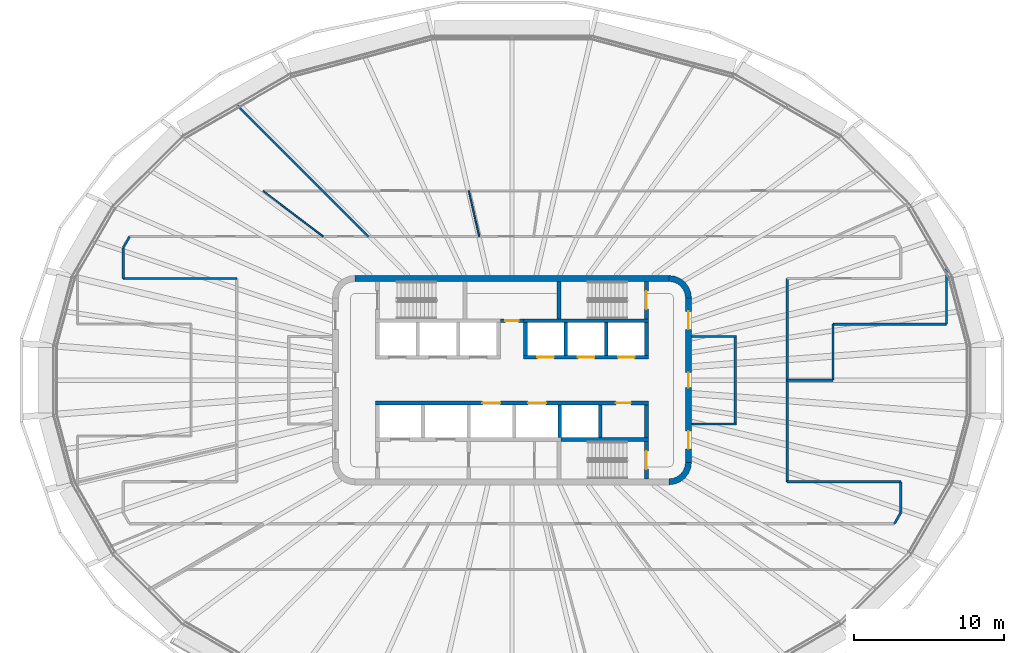
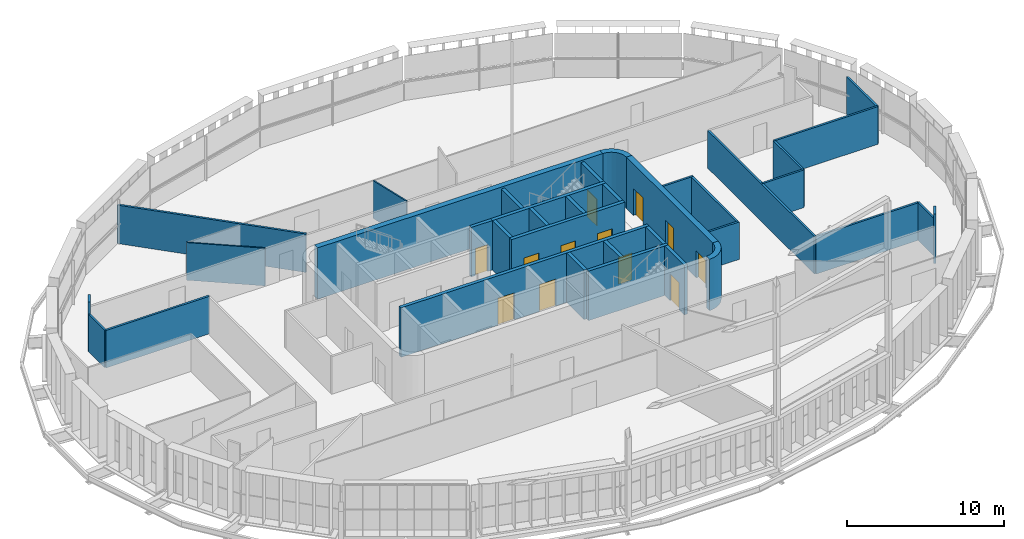
# One storey, part 12 of 20: 36 walls, 12 doors, 12 openings.
"""IFC4 building model written with IfcOpenShell, lengths in metres."""

from ifc_helpers import new_model, si_unit, direction, frame, frame_2d, origin, place, context, subcontext, project, spatial, polyline, rectangle, outline, extrude, material, layer, layer_set, type_object, element, fill, save


model = new_model("IFC4")

# Units and contexts
model_context = context("Model", 3, precision=1e-05, world=origin(), true_north=direction((0.0, 1.0)))
body_context = subcontext(model_context, "Body", "Model", "MODEL_VIEW")
ifc_project = project(units=[si_unit("LENGTHUNIT", "METRE"), si_unit("AREAUNIT", "SQUARE_METRE"), si_unit("VOLUMEUNIT", "CUBIC_METRE"), si_unit("PLANEANGLEUNIT", "RADIAN"), si_unit("MASSUNIT", "GRAM", prefix="KILO")], contexts=[model_context])

# Site, building, storey
site_placement = place(None, origin())
site = spatial("IfcSite", under=ifc_project, at=site_placement, CompositionType="ELEMENT")
building_placement = place(site_placement, origin())
building = spatial("IfcBuilding", under=site, at=building_placement, Name="Sahrelin Media Tower", CompositionType="ELEMENT")
storey_placement = place(building_placement, frame((0.0, 0.0, 209.60009765625)))
storey = spatial("IfcBuildingStorey", under=building, at=storey_placement, Name="L44", CompositionType="ELEMENT", Elevation=209.60009765625)

# Wall
ifc_material_1 = material(Name="Concrete C60/75", Category="concrete")
ifc_layer_1 = layer(ifc_material_1, 0.39990234375)
ifc_layer_set_1 = layer_set([ifc_layer_1], Name="Core wall 400")
wall_type_1 = type_object("IfcWallType", Name="Core wall 400", PredefinedType="SHEAR", material=ifc_layer_set_1)
wall_1_placement = place(storey_placement, frame((-10.5, 6.800048828125, 0.0), z_axis=(0.0, 0.0, 1.0), x_axis=(1.0, 0.0, 0.0)))
element("IfcWall", 1, at=wall_1_placement, inside=storey, type_object=wall_type_1, Name="Core wall N L44", PredefinedType="SHEAR", context=body_context, shape_type="SweptSolid", body=[
    extrude(rectangle(XDim=21.0, YDim=0.39990234375, at=frame_2d((10.5, 0.0))), origin(), (0.0, 0.0, 1.0), 4.0),
])

# Wall, openings, doors
wall_2_placement = place(storey_placement, frame((11.800048828125, -5.5, 0.0), z_axis=(0.0, 0.0, 1.0), x_axis=(0.0, 1.0, 0.0)))
wall_2 = element("IfcWall", 2, at=wall_2_placement, inside=storey, type_object=wall_type_1, Name="Core wall E L44", PredefinedType="SHEAR", context=body_context, shape_type="SweptSolid", body=[
    extrude(rectangle(XDim=11.0, YDim=0.39990234375, at=frame_2d((5.5, 0.0))), origin(), (0.0, 0.0, 1.0), 4.0),
])
opening_1_placement = place(wall_2_placement, frame((5.0, 0.0, 0.0)))
opening_1 = element("IfcOpeningElement", 3, at=opening_1_placement, cuts=wall_2, Name="Opening L44-D10", PredefinedType="OPENING", context=body_context, shape_type="SweptSolid", body=[
    extrude(rectangle(XDim=1.0, YDim=2.10009765625, at=frame_2d((0.5, 1.050048828125))), frame((0.0, 0.199951171875, 0.0), z_axis=(0.0, -1.0, 0.0), x_axis=(1.0, 0.0, 0.0)), (0.0, 0.0, 1.0), 0.39990234375),
])
opening_2_placement = place(wall_2_placement, frame((0.89990234375, 0.0, 0.0)))
opening_2 = element("IfcOpeningElement", 4, at=opening_2_placement, cuts=wall_2, Name="Opening L44-D13", PredefinedType="OPENING", context=body_context, shape_type="SweptSolid", body=[
    extrude(rectangle(XDim=1.199951171875, YDim=2.10009765625, at=frame_2d((0.60009765625, 1.050048828125))), frame((0.0, 0.199951171875, 0.0), z_axis=(0.0, -1.0, 0.0), x_axis=(1.0, 0.0, 0.0)), (0.0, 0.0, 1.0), 0.39990234375),
])
opening_3_placement = place(wall_2_placement, frame((8.89990234375, 0.0, 0.0)))
opening_3 = element("IfcOpeningElement", 5, at=opening_3_placement, cuts=wall_2, Name="Opening L44-D14", PredefinedType="OPENING", context=body_context, shape_type="SweptSolid", body=[
    extrude(rectangle(XDim=1.199951171875, YDim=2.10009765625, at=frame_2d((0.60009765625, 1.050048828125))), frame((0.0, 0.199951171875, 0.0), z_axis=(0.0, -1.0, 0.0), x_axis=(1.0, 0.0, 0.0)), (0.0, 0.0, 1.0), 0.39990234375),
])
ifc_material_2 = material(Name="Steel fire door leaf", Category="steel")
door_type_1 = type_object("IfcDoorType", Name="Fire door 1000 x 2100 EI 60", OperationType="NOTDEFINED", PredefinedType="DOOR", material=ifc_material_2)
door_1_placement = place(opening_1_placement, origin())
door_1 = element("IfcDoor", 6, at=door_1_placement, inside=storey, type_object=door_type_1, Name="Core room door", OperationType="SINGLE_SWING_RIGHT", OverallHeight=2.10009765625, OverallWidth=1.0, PredefinedType="DOOR", context=body_context, shape_type="SweptSolid", body=[
    extrude(rectangle(XDim=1.0, YDim=2.10009765625, at=frame_2d((0.5, 1.050048828125))), frame((0.0, 0.02490234375, 0.0), z_axis=(0.0, -1.0, 0.0), x_axis=(1.0, 0.0, 0.0)), (0.0, 0.0, 1.0), 0.050048828125),
])
fill(opening_1, door_1)
door_type_2 = type_object("IfcDoorType", Name="Lobby door 1200 x 2100 EI 60", OperationType="NOTDEFINED", PredefinedType="DOOR", material=ifc_material_2)
door_2_placement = place(opening_2_placement, origin())
door_2 = element("IfcDoor", 7, at=door_2_placement, inside=storey, type_object=door_type_2, Name="Lobby door", OperationType="SINGLE_SWING_LEFT", OverallHeight=2.10009765625, OverallWidth=1.199951171875, PredefinedType="DOOR", context=body_context, shape_type="SweptSolid", body=[
    extrude(rectangle(XDim=1.199951171875, YDim=2.10009765625, at=frame_2d((0.60009765625, 1.050048828125))), frame((0.0, 0.02490234375, 0.0), z_axis=(0.0, -1.0, 0.0), x_axis=(1.0, 0.0, 0.0)), (0.0, 0.0, 1.0), 0.050048828125),
])
fill(opening_2, door_2)
door_3_placement = place(opening_3_placement, origin())
door_3 = element("IfcDoor", 8, at=door_3_placement, inside=storey, type_object=door_type_2, Name="Lobby door", OperationType="SINGLE_SWING_LEFT", OverallHeight=2.10009765625, OverallWidth=1.199951171875, PredefinedType="DOOR", context=body_context, shape_type="SweptSolid", body=[
    extrude(rectangle(XDim=1.199951171875, YDim=2.10009765625, at=frame_2d((0.60009765625, 1.050048828125))), frame((0.0, 0.02490234375, 0.0), z_axis=(0.0, -1.0, 0.0), x_axis=(1.0, 0.0, 0.0)), (0.0, 0.0, 1.0), 0.050048828125),
])
fill(opening_3, door_3)

# Walls
placement = place(storey_placement, origin())
element("IfcWall", 9, at=placement, inside=storey, type_object=wall_type_1, Name="Core wall corner NE L44", PredefinedType="SHEAR", context=body_context, shape_type="SweptSolid", body=[
    extrude(outline(polyline([(10.5, 7.0), (10.5, 6.596435546875), (10.78369140625, 6.55908203125), (11.04833984375, 6.44970703125), (11.275390625, 6.275390625), (11.44970703125, 6.04833984375), (11.55908203125, 5.78369140625), (11.596435546875, 5.5), (12.0, 5.5), (11.948974609375, 5.88818359375), (11.799072265625, 6.25), (11.560791015625, 6.560791015625), (11.25, 6.799072265625), (10.88818359375, 6.948974609375), (10.5, 7.0)])), origin(), (0.0, 0.0, 1.0), 4.0),
])
element("IfcWall", 10, at=placement, inside=storey, type_object=wall_type_1, Name="Core wall corner SE L44", PredefinedType="SHEAR", context=body_context, shape_type="SweptSolid", body=[
    extrude(outline(polyline([(12.0, -5.5), (11.596435546875, -5.5), (11.55908203125, -5.78369140625), (11.44970703125, -6.04833984375), (11.275390625, -6.275390625), (11.04833984375, -6.44970703125), (10.78369140625, -6.55908203125), (10.5, -6.596435546875), (10.5, -7.0), (10.88818359375, -6.948974609375), (11.25, -6.799072265625), (11.560791015625, -6.560791015625), (11.799072265625, -6.25), (11.948974609375, -5.88818359375), (12.0, -5.5)])), origin(), (0.0, 0.0, 1.0), 4.0),
])

# Wall, opening, door
ifc_material_3 = material(Name="Fire-rated gypsum board partition")
ifc_layer_2 = layer(ifc_material_3, 0.25)
ifc_layer_set_2 = layer_set([ifc_layer_2], Name="Fire-rated lobby wall 250")
wall_type_2 = type_object("IfcWallType", Name="Fire-rated lobby wall 250", PredefinedType="PARTITIONING", material=ifc_layer_set_2)
wall_5_placement = place(storey_placement, frame((-0.77490234375, 3.97509765625, 0.0), z_axis=(0.0, 0.0, 1.0), x_axis=(1.0, 0.0, 0.0)))
wall_5 = element("IfcWall", 11, at=wall_5_placement, inside=storey, type_object=wall_type_2, Name="Core lobby wall", PredefinedType="PARTITIONING", context=body_context, shape_type="SweptSolid", body=[
    extrude(rectangle(XDim=1.5498046875, YDim=0.25, at=frame_2d((0.77490234375, 0.0))), origin(), (0.0, 0.0, 1.0), 3.849853515625),
])
opening_4_placement = place(wall_5_placement, frame((0.324951171875, 0.0, 0.0)))
opening_4 = element("IfcOpeningElement", 12, at=opening_4_placement, cuts=wall_5, Name="Opening L44-D06", PredefinedType="OPENING", context=body_context, shape_type="SweptSolid", body=[
    extrude(rectangle(XDim=0.89990234375, YDim=2.10009765625, at=frame_2d((0.449951171875, 1.050048828125))), frame((0.0, 0.125, 0.0), z_axis=(0.0, -1.0, 0.0), x_axis=(1.0, 0.0, 0.0)), (0.0, 0.0, 1.0), 0.25),
])
door_type_3 = type_object("IfcDoorType", Name="Riser door 900 x 2100 EI 120", OperationType="NOTDEFINED", PredefinedType="DOOR", material=ifc_material_2)
door_4_placement = place(opening_4_placement, origin())
door_4 = element("IfcDoor", 13, at=door_4_placement, inside=storey, type_object=door_type_3, Name="Core room door", OperationType="SINGLE_SWING_LEFT", OverallHeight=2.10009765625, OverallWidth=0.89990234375, PredefinedType="DOOR", context=body_context, shape_type="SweptSolid", body=[
    extrude(rectangle(XDim=0.89990234375, YDim=2.10009765625, at=frame_2d((0.449951171875, 1.050048828125))), frame((0.0, 0.02490234375, 0.0), z_axis=(0.0, -1.0, 0.0), x_axis=(1.0, 0.0, 0.0)), (0.0, 0.0, 1.0), 0.050048828125),
])
fill(opening_4, door_4)

# Walls
ifc_layer_3 = layer(ifc_material_3, 0.14990234375)
ifc_layer_set_3 = layer_set([ifc_layer_3], Name="Fire-rated partition 150")
wall_type_3 = type_object("IfcWallType", Name="Fire-rated partition 150", PredefinedType="PARTITIONING", material=ifc_layer_set_3)
wall_6_placement = place(storey_placement, frame((14.925048828125, -2.85009765625, 0.0), z_axis=(0.0, 0.0, 1.0), x_axis=(0.0, 1.0, 0.0)))
element("IfcWall", 14, at=wall_6_placement, inside=storey, type_object=wall_type_3, Name="Core room fire partition", PredefinedType="PARTITIONING", context=body_context, shape_type="SweptSolid", body=[
    extrude(rectangle(XDim=5.7001953125, YDim=0.14990234375, at=frame_2d((2.85009765625, 0.0))), origin(), (0.0, 0.0, 1.0), 2.918212890625),
])
for number, where, z_axis, x_axis, name in (
    (15, (12.0, 2.925048828125, 0.0), (0.0, 0.0, 1.0), (1.0, 0.0, 0.0), "Core room fire partition"),
    (16, (12.0, -2.925048828125, 0.0), (0.0, 0.0, 1.0), (1.0, 0.0, 0.0), "Core room fire partition"),
):
    element("IfcWall", number, at=place(storey_placement, frame(where, z_axis=z_axis, x_axis=x_axis)), inside=storey, type_object=wall_type_3, Name=name, PredefinedType="PARTITIONING", context=body_context, shape_type="SweptSolid", body=[
        extrude(rectangle(XDim=3.0, YDim=0.14990234375, at=frame_2d((1.5, 0.0))), origin(), (0.0, 0.0, 1.0), 2.918212890625),
    ])
wall_7_placement = place(storey_placement, frame((-18.408935546875, 18.408935546875, 0.0), z_axis=(0.0, 0.0, 1.0), x_axis=(0.707106781187, -0.707106781187, 0.0)))
element("IfcWall", 17, at=wall_7_placement, inside=storey, type_object=wall_type_3, Name="Wall", PredefinedType="PARTITIONING", context=body_context, shape_type="SweptSolid", body=[
    extrude(rectangle(XDim=12.45751953125, YDim=0.14990234375, at=frame_2d((6.228759765625, 0.0))), origin(), (0.0, 0.0, 1.0), 2.994873046875),
])
wall_8_placement = place(storey_placement, frame((18.39990234375, -6.800048828125, 0.0), z_axis=(0.0, 0.0, 1.0), x_axis=(1.0, 0.0, 0.0)))
element("IfcWall", 18, at=wall_8_placement, inside=storey, type_object=wall_type_3, Name="Wall", PredefinedType="PARTITIONING", context=body_context, shape_type="SweptSolid", body=[
    extrude(rectangle(XDim=7.60009765625, YDim=0.14990234375, at=frame_2d((3.800048828125, 0.0))), origin(), (0.0, 0.0, 1.0), 2.927001953125),
])
wall_9_placement = place(storey_placement, frame((18.39990234375, 0.0, 0.0), z_axis=(0.0, 0.0, 1.0), x_axis=(1.0, 0.0, 0.0)))
element("IfcWall", 19, at=wall_9_placement, inside=storey, type_object=wall_type_3, Name="Wall", PredefinedType="PARTITIONING", context=body_context, shape_type="SweptSolid", body=[
    extrude(rectangle(XDim=3.06005859375, YDim=0.14990234375, at=frame_2d((1.530029296875, 0.0))), origin(), (0.0, 0.0, 1.0), 2.927001953125),
])
for number, where, z_axis, x_axis, name in (
    (20, (21.4599609375, 3.739990234375, 0.0), (0.0, 0.0, 1.0), (1.0, 0.0, 0.0), "Wall"),
    (21, (-26.0, 6.800048828125, 0.0), (0.0, 0.0, 1.0), (1.0, 0.0, 0.0), "Wall"),
):
    element("IfcWall", number, at=place(storey_placement, frame(where, z_axis=z_axis, x_axis=x_axis)), inside=storey, type_object=wall_type_3, Name=name, PredefinedType="PARTITIONING", context=body_context, shape_type="SweptSolid", body=[
        extrude(rectangle(XDim=7.60009765625, YDim=0.14990234375, at=frame_2d((3.800048828125, 0.0))), origin(), (0.0, 0.0, 1.0), 2.927001953125),
    ])
wall_10_placement = place(storey_placement, frame((25.569091796875, -9.60009765625, 0.0), z_axis=(0.0, 0.0, 1.0), x_axis=(0.499640762619, 0.866232710263, 0.0)))
element("IfcWall", 22, at=wall_10_placement, inside=storey, type_object=wall_type_3, Name="Wall", PredefinedType="PARTITIONING", context=body_context, shape_type="SweptSolid", body=[
    extrude(rectangle(XDim=0.862548828125, YDim=0.14990234375, at=frame_2d((0.43115234375, 0.0))), origin(), (0.0, 0.0, 1.0), 3.849853515625),
])
wall_11_placement = place(storey_placement, frame((-26.0, 8.85302734375, 0.0), z_axis=(0.0, 0.0, 1.0), x_axis=(0.499975693202, 0.866039436866, 0.0)))
element("IfcWall", 23, at=wall_11_placement, inside=storey, type_object=wall_type_3, Name="Wall", PredefinedType="PARTITIONING", context=body_context, shape_type="SweptSolid", body=[
    extrude(rectangle(XDim=0.8623046875, YDim=0.14990234375, at=frame_2d((0.43115234375, 0.0))), origin(), (0.0, 0.0, 1.0), 3.849853515625),
])
wall_12_placement = place(storey_placement, frame((29.06005859375, 3.739990234375, 0.0), z_axis=(0.0, 0.0, 1.0), x_axis=(0.0, 1.0, 0.0)))
element("IfcWall", 24, at=wall_12_placement, inside=storey, type_object=wall_type_3, Name="Wall", PredefinedType="PARTITIONING", context=body_context, shape_type="SweptSolid", body=[
    extrude(rectangle(XDim=3.81298828125, YDim=0.14990234375, at=frame_2d((1.906494140625, 0.0))), origin(), (0.0, 0.0, 1.0), 2.918212890625),
])
wall_13_placement = place(storey_placement, frame((26.0, -8.85302734375, 0.0), z_axis=(0.0, 0.0, 1.0), x_axis=(0.0, 1.0, 0.0)))
element("IfcWall", 25, at=wall_13_placement, inside=storey, type_object=wall_type_3, Name="Wall", PredefinedType="PARTITIONING", context=body_context, shape_type="SweptSolid", body=[
    extrude(rectangle(XDim=2.052978515625, YDim=0.14990234375, at=frame_2d((1.0263671875, 0.0))), origin(), (0.0, 0.0, 1.0), 2.927001953125),
])
wall_14_placement = place(storey_placement, frame((21.4599609375, 0.0, 0.0), z_axis=(0.0, 0.0, 1.0), x_axis=(0.0, 1.0, 0.0)))
element("IfcWall", 26, at=wall_14_placement, inside=storey, type_object=wall_type_3, Name="Wall", PredefinedType="PARTITIONING", context=body_context, shape_type="SweptSolid", body=[
    extrude(rectangle(XDim=3.739990234375, YDim=0.14990234375, at=frame_2d((1.8701171875, 0.0))), origin(), (0.0, 0.0, 1.0), 2.918212890625),
])
wall_15_placement = place(storey_placement, frame((18.39990234375, -6.800048828125, 0.0), z_axis=(0.0, 0.0, 1.0), x_axis=(0.0, 1.0, 0.0)))
element("IfcWall", 27, at=wall_15_placement, inside=storey, type_object=wall_type_3, Name="Wall", PredefinedType="PARTITIONING", context=body_context, shape_type="SweptSolid", body=[
    extrude(rectangle(XDim=13.60009765625, YDim=0.14990234375, at=frame_2d((6.800048828125, 0.0))), origin(), (0.0, 0.0, 1.0), 2.918212890625),
])
wall_16_placement = place(storey_placement, frame((-26.0, 6.800048828125, 0.0), z_axis=(0.0, 0.0, 1.0), x_axis=(0.0, 1.0, 0.0)))
element("IfcWall", 28, at=wall_16_placement, inside=storey, type_object=wall_type_3, Name="Wall", PredefinedType="PARTITIONING", context=body_context, shape_type="SweptSolid", body=[
    extrude(rectangle(XDim=2.052978515625, YDim=0.14990234375, at=frame_2d((1.0263671875, 0.0))), origin(), (0.0, 0.0, 1.0), 2.927001953125),
])

# Wall, openings, doors
ifc_layer_4 = layer(ifc_material_1, 0.25)
ifc_layer_set_4 = layer_set([ifc_layer_4], Name="Lift shaft wall 250")
wall_type_4 = type_object("IfcWallType", Name="Lift shaft wall 250", PredefinedType="SOLIDWALL", material=ifc_layer_set_4)
wall_17_placement = place(storey_placement, frame((0.77490234375, 1.52490234375, 0.0), z_axis=(0.0, 0.0, 1.0), x_axis=(1.0, 0.0, 0.0)))
wall_17 = element("IfcWall", 29, at=wall_17_placement, inside=storey, type_object=wall_type_4, Name="Lift shaft wall", PredefinedType="SOLIDWALL", context=body_context, shape_type="SweptSolid", body=[
    extrude(rectangle(XDim=8.35009765625, YDim=0.25, at=frame_2d((4.175048828125, 0.0))), origin(), (0.0, 0.0, 1.0), 3.849853515625),
])
opening_5_placement = place(wall_17_placement, frame((0.925048828125, 0.0, 0.0)))
opening_5 = element("IfcOpeningElement", 30, at=opening_5_placement, cuts=wall_17, Name="Opening L44-LD-HR4", PredefinedType="OPENING", context=body_context, shape_type="SweptSolid", body=[
    extrude(rectangle(XDim=1.10009765625, YDim=2.10009765625, at=frame_2d((0.550048828125, 1.050048828125))), frame((0.0, 0.125, 0.0), z_axis=(0.0, -1.0, 0.0), x_axis=(1.0, 0.0, 0.0)), (0.0, 0.0, 1.0), 0.25),
])
opening_6_placement = place(wall_17_placement, frame((3.625, 0.0, 0.0)))
opening_6 = element("IfcOpeningElement", 31, at=opening_6_placement, cuts=wall_17, Name="Opening L44-LD-HR5", PredefinedType="OPENING", context=body_context, shape_type="SweptSolid", body=[
    extrude(rectangle(XDim=1.10009765625, YDim=2.10009765625, at=frame_2d((0.550048828125, 1.050048828125))), frame((0.0, 0.125, 0.0), z_axis=(0.0, -1.0, 0.0), x_axis=(1.0, 0.0, 0.0)), (0.0, 0.0, 1.0), 0.25),
])
opening_7_placement = place(wall_17_placement, frame((6.324951171875, 0.0, 0.0)))
opening_7 = element("IfcOpeningElement", 32, at=opening_7_placement, cuts=wall_17, Name="Opening L44-LD-HR6", PredefinedType="OPENING", context=body_context, shape_type="SweptSolid", body=[
    extrude(rectangle(XDim=1.10009765625, YDim=2.10009765625, at=frame_2d((0.550048828125, 1.050048828125))), frame((0.0, 0.125, 0.0), z_axis=(0.0, -1.0, 0.0), x_axis=(1.0, 0.0, 0.0)), (0.0, 0.0, 1.0), 0.25),
])
ifc_material_4 = material(Name="Stainless steel", Category="steel")
door_type_4 = type_object("IfcDoorType", Name="Lift landing door 1100 x 2100 EI 120", OperationType="DOUBLE_DOOR_SLIDING", PredefinedType="DOOR", material=ifc_material_4)
door_5_placement = place(opening_5_placement, origin())
door_5 = element("IfcDoor", 33, at=door_5_placement, inside=storey, type_object=door_type_4, Name="Lift landing door HR4", OperationType="DOUBLE_DOOR_SLIDING", OverallHeight=2.10009765625, OverallWidth=1.10009765625, PredefinedType="DOOR", context=body_context, shape_type="SweptSolid", body=[
    extrude(rectangle(XDim=1.10009765625, YDim=2.10009765625, at=frame_2d((0.550048828125, 1.050048828125))), frame((0.0, 0.02490234375, 0.0), z_axis=(0.0, -1.0, 0.0), x_axis=(1.0, 0.0, 0.0)), (0.0, 0.0, 1.0), 0.050048828125),
])
fill(opening_5, door_5)
door_6_placement = place(opening_6_placement, origin())
door_6 = element("IfcDoor", 34, at=door_6_placement, inside=storey, type_object=door_type_4, Name="Lift landing door HR5", OperationType="DOUBLE_DOOR_SLIDING", OverallHeight=2.10009765625, OverallWidth=1.10009765625, PredefinedType="DOOR", context=body_context, shape_type="SweptSolid", body=[
    extrude(rectangle(XDim=1.10009765625, YDim=2.10009765625, at=frame_2d((0.550048828125, 1.050048828125))), frame((0.0, 0.02490234375, 0.0), z_axis=(0.0, -1.0, 0.0), x_axis=(1.0, 0.0, 0.0)), (0.0, 0.0, 1.0), 0.050048828125),
])
fill(opening_6, door_6)
door_7_placement = place(opening_7_placement, origin())
door_7 = element("IfcDoor", 35, at=door_7_placement, inside=storey, type_object=door_type_4, Name="Lift landing door HR6", OperationType="DOUBLE_DOOR_SLIDING", OverallHeight=2.10009765625, OverallWidth=1.10009765625, PredefinedType="DOOR", context=body_context, shape_type="SweptSolid", body=[
    extrude(rectangle(XDim=1.10009765625, YDim=2.10009765625, at=frame_2d((0.550048828125, 1.050048828125))), frame((0.0, 0.02490234375, 0.0), z_axis=(0.0, -1.0, 0.0), x_axis=(1.0, 0.0, 0.0)), (0.0, 0.0, 1.0), 0.050048828125),
])
fill(opening_7, door_7)

# Walls
wall_18_placement = place(storey_placement, frame((0.77490234375, 3.97509765625, 0.0), z_axis=(0.0, 0.0, 1.0), x_axis=(1.0, 0.0, 0.0)))
element("IfcWall", 36, at=wall_18_placement, inside=storey, type_object=wall_type_4, Name="Lift shaft wall", PredefinedType="SOLIDWALL", context=body_context, shape_type="SweptSolid", body=[
    extrude(rectangle(XDim=8.35009765625, YDim=0.25, at=frame_2d((4.175048828125, 0.0))), origin(), (0.0, 0.0, 1.0), 3.849853515625),
])
for number, where, z_axis, x_axis, name in (
    (37, (9.0, 1.64990234375, 0.0), (0.0, 0.0, 1.0), (0.0, 1.0, 0.0), "Lift shaft wall"),
    (38, (6.300048828125, 1.64990234375, 0.0), (0.0, 0.0, 1.0), (0.0, 1.0, 0.0), "Lift shaft wall"),
    (39, (3.60009765625, 1.64990234375, 0.0), (0.0, 0.0, 1.0), (0.0, 1.0, 0.0), "Lift shaft wall"),
    (40, (0.89990234375, 1.64990234375, 0.0), (0.0, 0.0, 1.0), (0.0, 1.0, 0.0), "Lift shaft wall"),
):
    element("IfcWall", number, at=place(storey_placement, frame(where, z_axis=z_axis, x_axis=x_axis)), inside=storey, type_object=wall_type_4, Name=name, PredefinedType="SOLIDWALL", context=body_context, shape_type="SweptSolid", body=[
        extrude(rectangle(XDim=2.2001953125, YDim=0.25, at=frame_2d((1.10009765625, 0.0))), origin(), (0.0, 0.0, 1.0), 3.849853515625),
    ])

# Wall, openings, doors
wall_19_placement = place(storey_placement, frame((-9.125, -1.52490234375, 0.0), z_axis=(0.0, 0.0, 1.0), x_axis=(1.0, 0.0, 0.0)))
wall_19 = element("IfcWall", 41, at=wall_19_placement, inside=storey, type_object=wall_type_4, Name="Lift shaft wall", PredefinedType="SOLIDWALL", context=body_context, shape_type="SweptSolid", body=[
    extrude(rectangle(XDim=18.25, YDim=0.25, at=frame_2d((9.125, 0.0))), origin(), (0.0, 0.0, 1.0), 3.849853515625),
])
opening_8_placement = place(wall_19_placement, frame((7.14990234375, 0.0, 0.0)))
opening_8 = element("IfcOpeningElement", 42, at=opening_8_placement, cuts=wall_19, Name="Opening L44-LD-SV1", PredefinedType="OPENING", context=body_context, shape_type="SweptSolid", body=[
    extrude(rectangle(XDim=1.199951171875, YDim=2.10009765625, at=frame_2d((0.60009765625, 1.050048828125))), frame((0.0, 0.125, 0.0), z_axis=(0.0, -1.0, 0.0), x_axis=(1.0, 0.0, 0.0)), (0.0, 0.0, 1.0), 0.25),
])
opening_9_placement = place(wall_19_placement, frame((10.199951171875, 0.0, 0.0)))
opening_9 = element("IfcOpeningElement", 43, at=opening_9_placement, cuts=wall_19, Name="Opening L44-LD-SV2", PredefinedType="OPENING", context=body_context, shape_type="SweptSolid", body=[
    extrude(rectangle(XDim=1.199951171875, YDim=2.10009765625, at=frame_2d((0.60009765625, 1.050048828125))), frame((0.0, 0.125, 0.0), z_axis=(0.0, -1.0, 0.0), x_axis=(1.0, 0.0, 0.0)), (0.0, 0.0, 1.0), 0.25),
])
opening_10_placement = place(wall_19_placement, frame((16.074951171875, 0.0, 0.0)))
opening_10 = element("IfcOpeningElement", 44, at=opening_10_placement, cuts=wall_19, Name="Opening L44-D08", PredefinedType="OPENING", context=body_context, shape_type="SweptSolid", body=[
    extrude(rectangle(XDim=1.0, YDim=2.10009765625, at=frame_2d((0.5, 1.050048828125))), frame((0.0, 0.125, 0.0), z_axis=(0.0, -1.0, 0.0), x_axis=(1.0, 0.0, 0.0)), (0.0, 0.0, 1.0), 0.25),
])
door_8_placement = place(opening_10_placement, origin())
door_8 = element("IfcDoor", 45, at=door_8_placement, inside=storey, type_object=door_type_1, Name="Core room door", OperationType="SINGLE_SWING_RIGHT", OverallHeight=2.10009765625, OverallWidth=1.0, PredefinedType="DOOR", context=body_context, shape_type="SweptSolid", body=[
    extrude(rectangle(XDim=1.0, YDim=2.10009765625, at=frame_2d((0.5, 1.050048828125))), frame((0.0, 0.02490234375, 0.0), z_axis=(0.0, -1.0, 0.0), x_axis=(1.0, 0.0, 0.0)), (0.0, 0.0, 1.0), 0.050048828125),
])
fill(opening_10, door_8)
door_type_5 = type_object("IfcDoorType", Name="Lift landing door 1200 x 2100 EI 120", OperationType="DOUBLE_DOOR_SLIDING", PredefinedType="DOOR", material=ifc_material_4)
door_9_placement = place(opening_8_placement, origin())
door_9 = element("IfcDoor", 46, at=door_9_placement, inside=storey, type_object=door_type_5, Name="Lift landing door SV1", OperationType="DOUBLE_DOOR_SLIDING", OverallHeight=2.10009765625, OverallWidth=1.199951171875, PredefinedType="DOOR", context=body_context, shape_type="SweptSolid", body=[
    extrude(rectangle(XDim=1.199951171875, YDim=2.10009765625, at=frame_2d((0.60009765625, 1.050048828125))), frame((0.0, 0.02490234375, 0.0), z_axis=(0.0, -1.0, 0.0), x_axis=(1.0, 0.0, 0.0)), (0.0, 0.0, 1.0), 0.050048828125),
])
fill(opening_8, door_9)
door_10_placement = place(opening_9_placement, origin())
door_10 = element("IfcDoor", 47, at=door_10_placement, inside=storey, type_object=door_type_5, Name="Lift landing door SV2", OperationType="DOUBLE_DOOR_SLIDING", OverallHeight=2.10009765625, OverallWidth=1.199951171875, PredefinedType="DOOR", context=body_context, shape_type="SweptSolid", body=[
    extrude(rectangle(XDim=1.199951171875, YDim=2.10009765625, at=frame_2d((0.60009765625, 1.050048828125))), frame((0.0, 0.02490234375, 0.0), z_axis=(0.0, -1.0, 0.0), x_axis=(1.0, 0.0, 0.0)), (0.0, 0.0, 1.0), 0.050048828125),
])
fill(opening_9, door_10)

# Walls
wall_20_placement = place(storey_placement, frame((3.27490234375, -3.97509765625, 0.0), z_axis=(0.0, 0.0, 1.0), x_axis=(1.0, 0.0, 0.0)))
element("IfcWall", 48, at=wall_20_placement, inside=storey, type_object=wall_type_4, Name="Lift shaft wall", PredefinedType="SOLIDWALL", context=body_context, shape_type="SweptSolid", body=[
    extrude(rectangle(XDim=5.85009765625, YDim=0.25, at=frame_2d((2.925048828125, 0.0))), origin(), (0.0, 0.0, 1.0), 3.849853515625),
])
for number, where, z_axis, x_axis, name in (
    (49, (3.199951171875, -3.85009765625, 0.0), (0.0, 0.0, 1.0), (0.0, 1.0, 0.0), "Lift shaft wall"),
    (50, (5.89990234375, -3.85009765625, 0.0), (0.0, 0.0, 1.0), (0.0, 1.0, 0.0), "Lift shaft wall"),
    (51, (9.0, -3.85009765625, 0.0), (0.0, 0.0, 1.0), (0.0, 1.0, 0.0), "Lift shaft wall"),
):
    element("IfcWall", number, at=place(storey_placement, frame(where, z_axis=z_axis, x_axis=x_axis)), inside=storey, type_object=wall_type_4, Name=name, PredefinedType="SOLIDWALL", context=body_context, shape_type="SweptSolid", body=[
        extrude(rectangle(XDim=2.2001953125, YDim=0.25, at=frame_2d((1.10009765625, 0.0))), origin(), (0.0, 0.0, 1.0), 3.849853515625),
    ])
ifc_material_5 = material(Name="Gypsum board partition")
ifc_layer_5 = layer(ifc_material_5, 0.10009765625)
ifc_layer_set_5 = layer_set([ifc_layer_5], Name="Partition 100")
wall_type_5 = type_object("IfcWallType", Name="Partition 100", PredefinedType="PARTITIONING", material=ifc_layer_set_5)
wall_21_placement = place(storey_placement, frame((-2.889892578125, 12.659912109375, 0.0), z_axis=(0.0, 0.0, 1.0), x_axis=(0.222700185816, -0.974886981777, 0.0)))
element("IfcWall", 52, at=wall_21_placement, inside=storey, type_object=wall_type_5, Name="Wall", PredefinedType="PARTITIONING", context=body_context, shape_type="SweptSolid", body=[
    extrude(rectangle(XDim=3.138671875, YDim=0.10009765625, at=frame_2d((1.5693359375, 0.0))), origin(), (0.0, 0.0, 1.0), 2.927001953125),
])
wall_22_placement = place(storey_placement, frame((-16.64599609375, 12.659912109375, 0.0), z_axis=(0.0, 0.0, 1.0), x_axis=(0.796006750332, -0.605287744322, 0.0)))
element("IfcWall", 53, at=wall_22_placement, inside=storey, type_object=wall_type_5, Name="Wall", PredefinedType="PARTITIONING", context=body_context, shape_type="SweptSolid", body=[
    extrude(rectangle(XDim=5.05517578125, YDim=0.10009765625, at=frame_2d((2.527587890625, 0.0))), origin(), (0.0, 0.0, 1.0), 2.927001953125),
])

# Wall, opening, door
ifc_layer_6 = layer(ifc_material_1, 0.25)
ifc_layer_set_6 = layer_set([ifc_layer_6], Name="Stair enclosure wall 250")
wall_type_6 = type_object("IfcWallType", Name="Stair enclosure wall 250", PredefinedType="SOLIDWALL", material=ifc_layer_set_6)
wall_23_placement = place(storey_placement, frame((9.0, 4.10009765625, 0.0), z_axis=(0.0, 0.0, 1.0), x_axis=(0.0, 1.0, 0.0)))
wall_23 = element("IfcWall", 54, at=wall_23_placement, inside=storey, type_object=wall_type_6, Name="Stair enclosure wall", PredefinedType="SOLIDWALL", context=body_context, shape_type="SweptSolid", body=[
    extrude(rectangle(XDim=2.5, YDim=0.25, at=frame_2d((1.25, 0.0))), origin(), (0.0, 0.0, 1.0), 3.849853515625),
])
opening_11_placement = place(wall_23_placement, frame((0.64990234375, 0.0, 0.0)))
opening_11 = element("IfcOpeningElement", 55, at=opening_11_placement, cuts=wall_23, Name="Opening L44-D02", PredefinedType="OPENING", context=body_context, shape_type="SweptSolid", body=[
    extrude(rectangle(XDim=1.199951171875, YDim=2.10009765625, at=frame_2d((0.60009765625, 1.050048828125))), frame((0.0, 0.125, 0.0), z_axis=(0.0, -1.0, 0.0), x_axis=(1.0, 0.0, 0.0)), (0.0, 0.0, 1.0), 0.25),
])
door_type_6 = type_object("IfcDoorType", Name="Stair door 1200 x 2100 EI 120", OperationType="NOTDEFINED", PredefinedType="DOOR", material=ifc_material_2)
door_11_placement = place(opening_11_placement, origin())
door_11 = element("IfcDoor", 56, at=door_11_placement, inside=storey, type_object=door_type_6, Name="Stair door ST3", OperationType="SINGLE_SWING_LEFT", OverallHeight=2.10009765625, OverallWidth=1.199951171875, PredefinedType="DOOR", context=body_context, shape_type="SweptSolid", body=[
    extrude(rectangle(XDim=1.199951171875, YDim=2.10009765625, at=frame_2d((0.60009765625, 1.050048828125))), frame((0.0, 0.02490234375, 0.0), z_axis=(0.0, -1.0, 0.0), x_axis=(1.0, 0.0, 0.0)), (0.0, 0.0, 1.0), 0.050048828125),
])
fill(opening_11, door_11)

wall_24_placement = place(storey_placement, frame((9.0, -6.60009765625, 0.0), z_axis=(0.0, 0.0, 1.0), x_axis=(0.0, 1.0, 0.0)))
wall_24 = element("IfcWall", 57, at=wall_24_placement, inside=storey, type_object=wall_type_6, Name="Stair enclosure wall", PredefinedType="SOLIDWALL", context=body_context, shape_type="SweptSolid", body=[
    extrude(rectangle(XDim=2.5, YDim=0.25, at=frame_2d((1.25, 0.0))), origin(), (0.0, 0.0, 1.0), 3.849853515625),
])
opening_12_placement = place(wall_24_placement, frame((0.64990234375, 0.0, 0.0)))
opening_12 = element("IfcOpeningElement", 58, at=opening_12_placement, cuts=wall_24, Name="Opening L44-D03", PredefinedType="OPENING", context=body_context, shape_type="SweptSolid", body=[
    extrude(rectangle(XDim=1.199951171875, YDim=2.10009765625, at=frame_2d((0.60009765625, 1.050048828125))), frame((0.0, 0.125, 0.0), z_axis=(0.0, -1.0, 0.0), x_axis=(1.0, 0.0, 0.0)), (0.0, 0.0, 1.0), 0.25),
])
door_12_placement = place(opening_12_placement, origin())
door_12 = element("IfcDoor", 59, at=door_12_placement, inside=storey, type_object=door_type_6, Name="Stair door ST2", OperationType="SINGLE_SWING_LEFT", OverallHeight=2.10009765625, OverallWidth=1.199951171875, PredefinedType="DOOR", context=body_context, shape_type="SweptSolid", body=[
    extrude(rectangle(XDim=1.199951171875, YDim=2.10009765625, at=frame_2d((0.60009765625, 1.050048828125))), frame((0.0, 0.02490234375, 0.0), z_axis=(0.0, -1.0, 0.0), x_axis=(1.0, 0.0, 0.0)), (0.0, 0.0, 1.0), 0.050048828125),
])
fill(opening_12, door_12)

# Wall
wall_25_placement = place(storey_placement, frame((3.14990234375, 4.10009765625, 0.0), z_axis=(0.0, 0.0, 1.0), x_axis=(0.0, 1.0, 0.0)))
element("IfcWall", 60, at=wall_25_placement, inside=storey, type_object=wall_type_6, Name="Stair enclosure wall", PredefinedType="SOLIDWALL", context=body_context, shape_type="SweptSolid", body=[
    extrude(rectangle(XDim=2.5, YDim=0.25, at=frame_2d((1.25, 0.0))), origin(), (0.0, 0.0, 1.0), 3.849853515625),
])

save(model, "model.ifc")
